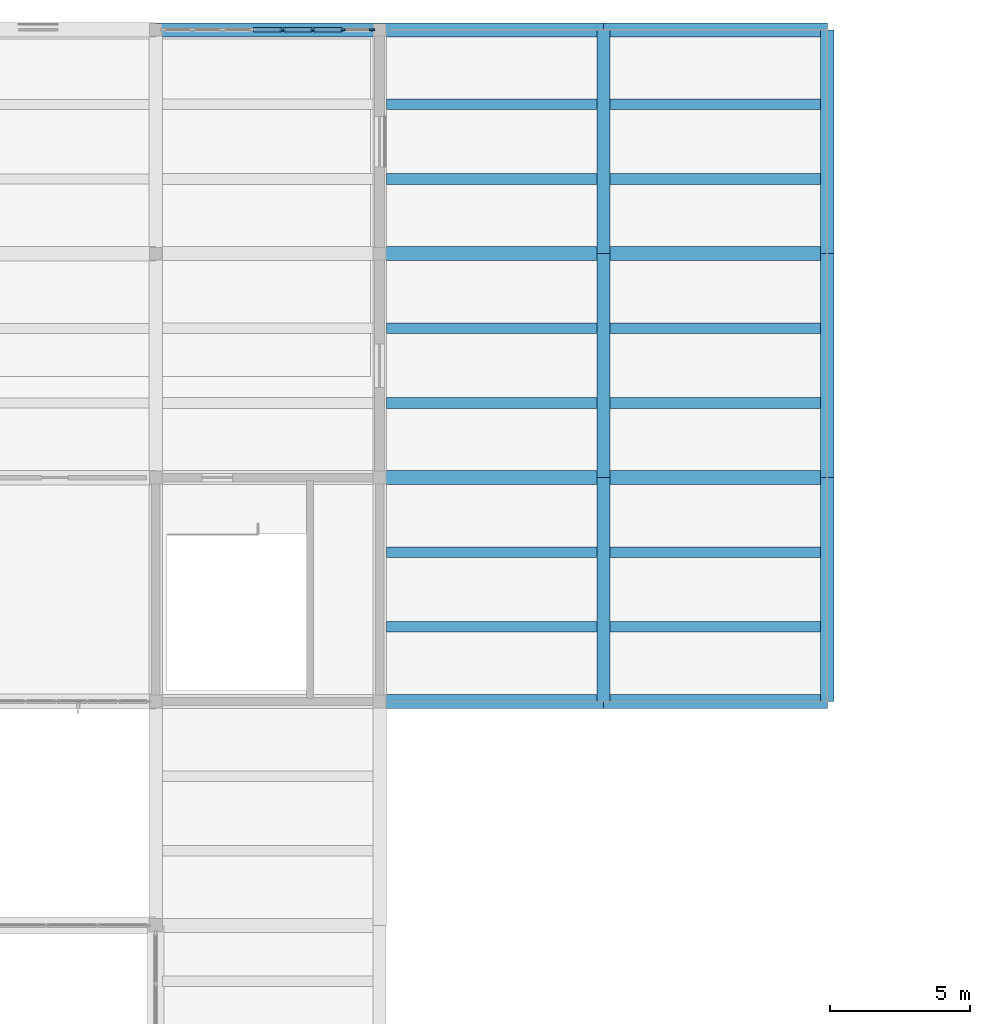
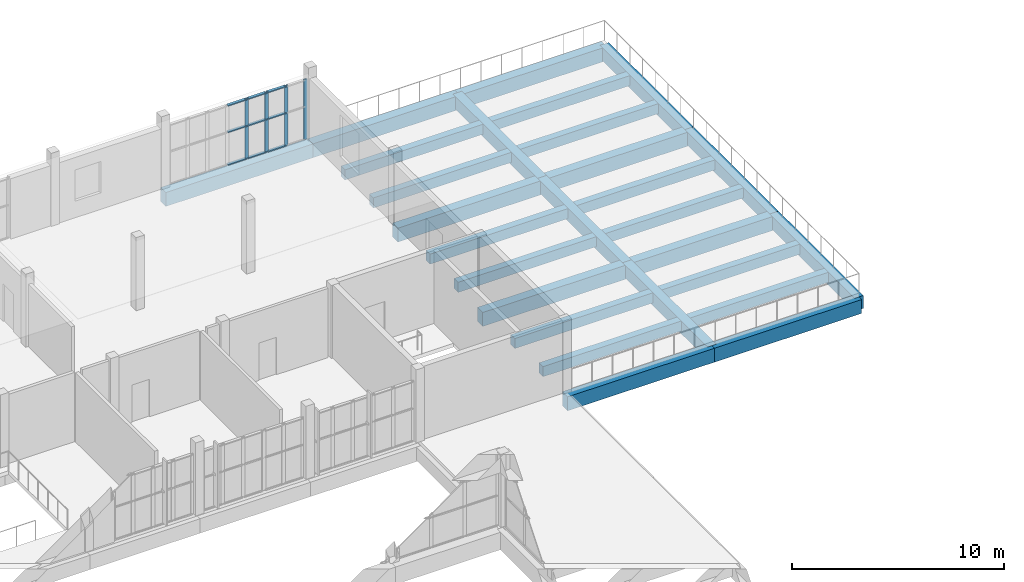
# One storey, part 30 of 70: 27 beams, 13 members, 1 element without a shape of its own.
"""IFC4 building model written with IfcOpenShell, lengths in metres."""

import ifcopenshell
import ifcopenshell.guid

model = None  # the IFC model being written
_history = None  # IfcOwnerHistory: only IFC2X3 demands one
_inside = {}  # id of a spatial element -> (the spatial element, [elements in it])
_under = {}  # id of a project, library or spatial element -> (it, [spatial elements below it])
_declared = {}  # id of a project -> (the project, [libraries it declares])
_typed = {}  # id of a type object -> (the type object, [elements of that type])
_made_of = {}  # id of a material, layer set ... -> (it, [elements and type objects made of it])


def new_model(schema):
    """Start an empty IFC model of exactly this schema.

    Asked for "IFC4X3", IfcOpenShell would pick the latest addendum, in which some entities
    have other attributes; the version numbers below select the first issue.
    IFC2X3 requires an IfcOwnerHistory on every rooted entity: one is made here for all.
    """
    global model, _history
    if schema == "IFC4X3":
        model = ifcopenshell.file(schema_version=(4, 3, 0, 0))
    else:
        model = ifcopenshell.file(schema=schema)
    _inside.clear()
    _under.clear()
    _declared.clear()
    _typed.clear()
    _made_of.clear()
    _history = None
    if model.schema == "IFC2X3":
        org = make("IfcOrganization", Name="unknown")
        user = make(
            "IfcPersonAndOrganization",
            ThePerson=make("IfcPerson", FamilyName="unknown"),
            TheOrganization=org,
        )
        app = make(
            "IfcApplication",
            ApplicationDeveloper=org,
            Version="unknown",
            ApplicationFullName="unknown",
            ApplicationIdentifier="unknown",
        )
        _history = make(
            "IfcOwnerHistory",
            OwningUser=user,
            OwningApplication=app,
            ChangeAction="ADDED",
            CreationDate=0,
        )
    return model


def make(cls, **values):
    """One entity of the class cls with the attributes given. An attribute that is None is left unset."""
    return model.create_entity(
        cls, **{name: value for name, value in values.items() if value is not None}
    )


def rooted(cls, **values):
    """An entity with a GlobalId (a new one), such as an element, a storey or a relation."""
    return make(cls, GlobalId=ifcopenshell.guid.new(), OwnerHistory=_history, **values)


def si_unit(unit_type, name, prefix=None):
    """IfcSIUnit, for example si_unit("LENGTHUNIT", "METRE", prefix="MILLI")."""
    return make("IfcSIUnit", UnitType=unit_type, Prefix=prefix, Name=name)


def assignment(units):
    """IfcUnitAssignment: the units of a project."""
    return None if units is None else make("IfcUnitAssignment", Units=units)


def point(xyz):
    """IfcCartesianPoint."""
    return None if xyz is None else make("IfcCartesianPoint", Coordinates=xyz)


def direction(xyz):
    """IfcDirection."""
    return None if xyz is None else make("IfcDirection", DirectionRatios=xyz)


def frame(location, z_axis=None, x_axis=None):
    """IfcAxis2Placement3D, a coordinate frame: its origin and axes. An axis left out is left unset."""
    return make(
        "IfcAxis2Placement3D",
        Location=point(location),
        Axis=direction(z_axis),
        RefDirection=direction(x_axis),
    )


def frame_2d(location, x_axis=None):
    """IfcAxis2Placement2D, a coordinate frame in the plane: its origin and x axis."""
    return make(
        "IfcAxis2Placement2D", Location=point(location), RefDirection=direction(x_axis)
    )


def origin():
    """The frame at (0, 0, 0) with its axes left unset."""
    return frame((0.0, 0.0, 0.0))


def origin_2d():
    """The frame at (0, 0) in the plane with its x axis left unset."""
    return frame_2d((0.0, 0.0))


def place(relative_to, where):
    """IfcLocalPlacement: puts the frame where relative to a parent placement (None: the world)."""
    return make(
        "IfcLocalPlacement", PlacementRelTo=relative_to, RelativePlacement=where
    )


def context(
    kind, dimensions, precision=None, world=None, true_north=None, identifier=None
):
    """IfcGeometricRepresentationContext, for example the 3D "Model" context."""
    return make(
        "IfcGeometricRepresentationContext",
        ContextIdentifier=identifier,
        ContextType=kind,
        CoordinateSpaceDimension=dimensions,
        Precision=precision,
        WorldCoordinateSystem=world,
        TrueNorth=true_north,
    )


def subcontext(parent, identifier, kind, view, scale=None):
    """IfcGeometricRepresentationSubContext, for example "Body" below "Model"."""
    return make(
        "IfcGeometricRepresentationSubContext",
        ContextIdentifier=identifier,
        ContextType=kind,
        ParentContext=parent,
        TargetScale=scale,
        TargetView=view,
    )


def project(units=None, contexts=None):
    """IfcProject with its units and contexts."""
    return rooted(
        "IfcProject",
        Name="project",
        RepresentationContexts=contexts,
        UnitsInContext=assignment(units),
    )


def spatial(cls, under=None, at=None, **own):
    """A site, building, storey or space (cls), placed at a placement, below another one or the project."""
    s = rooted(cls, ObjectPlacement=at, **own)
    if under is not None:
        _under.setdefault(under.id(), (under, []))[1].append(s)
    return s


def profile(cls, at=None, kind="AREA", **sizes):
    """A parametric profile (cls). Its sizes go by their IFC names, for example OverallWidth=200.0."""
    return make(cls, ProfileType=kind, Position=at, **sizes)


def rectangle(**sizes):
    """IfcRectangleProfileDef."""
    return profile("IfcRectangleProfileDef", **sizes)


def extrude(swept, where, along, depth):
    """IfcExtrudedAreaSolid: the profile swept, set in the frame where, extruded along a direction by depth."""
    return make(
        "IfcExtrudedAreaSolid",
        SweptArea=swept,
        Position=where,
        ExtrudedDirection=direction(along),
        Depth=depth,
    )


def shape(context_of_items, identifier, shape_type, items):
    """IfcShapeRepresentation: the items that make up one representation, for example the "Body"."""
    return make(
        "IfcShapeRepresentation",
        ContextOfItems=context_of_items,
        RepresentationIdentifier=identifier,
        RepresentationType=shape_type,
        Items=items,
    )


def material(Name=None, Category=None):
    """IfcMaterial."""
    return make("IfcMaterial", Name=Name, Category=Category)


def layer(
    of_material, thickness, ventilated=None, Name=None, Category=None, Priority=None
):
    """IfcMaterialLayer: one layer of a wall or slab, of a material (None: an air gap)."""
    return make(
        "IfcMaterialLayer",
        Material=of_material,
        LayerThickness=thickness,
        IsVentilated=ventilated,
        Name=Name,
        Category=Category,
        Priority=Priority,
    )


def layer_set(layers, Name=None):
    """IfcMaterialLayerSet."""
    return make("IfcMaterialLayerSet", MaterialLayers=layers, LayerSetName=Name)


def material_profile(
    of_material, cross_section, Name=None, Category=None, Priority=None
):
    """IfcMaterialProfile: a cross section and its material."""
    return make(
        "IfcMaterialProfile",
        Name=Name,
        Material=of_material,
        Profile=cross_section,
        Priority=Priority,
        Category=Category,
    )


def profile_set(profiles, Name=None, composite=None):
    """IfcMaterialProfileSet."""
    return make(
        "IfcMaterialProfileSet",
        Name=Name,
        MaterialProfiles=profiles,
        CompositeProfile=composite,
    )


def made_of(thing, what):
    """Note that an element or type object is made of a material, layer set ...; save() writes the relation."""
    if what is not None:
        _made_of.setdefault(what.id(), (what, []))[1].append(thing)
    return thing


def type_object(cls, material=None, **own):
    """A type object (cls), such as IfcWallType, which elements share."""
    return made_of(rooted(cls, **own), material)


def element(
    cls,
    number,
    at=None,
    inside=None,
    cuts=None,
    type_object=None,
    material=None,
    context=None,
    identifier="Body",
    shape_type=None,
    held_by="IfcProductDefinitionShape",
    body=None,
    shapes=None,
    **own,
):
    """One element of the class cls, such as IfcWall. Its Tag is "e" and its number.

    at: its placement. inside: the storey or other place that contains it. cuts: it is an
    opening in that element (IfcRelVoidsElement). A single representation is given by context,
    identifier, shape_type and body (its items); several are given by shapes. held_by: the class
    of the entity that holds the representations. save() writes the other relations.
    """
    e = rooted(cls, Tag="e%d" % number, ObjectPlacement=at, **own)
    if body is not None:
        shapes = [shape(context, identifier, shape_type, body)]
    if shapes is not None:
        e.Representation = make(held_by, Representations=shapes)
    if inside is not None:
        _inside.setdefault(inside.id(), (inside, []))[1].append(e)
    if cuts is not None:
        rooted(
            "IfcRelVoidsElement", RelatingBuildingElement=cuts, RelatedOpeningElement=e
        )
    if type_object is not None:
        _typed.setdefault(type_object.id(), (type_object, []))[1].append(e)
    return made_of(e, material)


def aggregate(whole, parts):
    """IfcRelAggregates: a whole, such as a stair, and the parts it consists of."""
    return rooted("IfcRelAggregates", RelatingObject=whole, RelatedObjects=parts)


def save(model, path):
    """Write the relations noted so far, then the file.

    IfcRelAggregates (storeys below a building ...), IfcRelContainedInSpatialStructure (elements
    in a storey), IfcRelDefinesByType, IfcRelAssociatesMaterial and IfcRelDeclares: one each for
    every whole, place, type object, material and project.
    """
    for whole, parts in _under.values():
        aggregate(whole, parts)
    for where, things in _inside.values():
        rooted(
            "IfcRelContainedInSpatialStructure",
            RelatedElements=things,
            RelatingStructure=where,
        )
    for kind, things in _typed.values():
        rooted("IfcRelDefinesByType", RelatedObjects=things, RelatingType=kind)
    for what, things in _made_of.values():
        rooted("IfcRelAssociatesMaterial", RelatedObjects=things, RelatingMaterial=what)
    for by, libraries in _declared.values():
        rooted("IfcRelDeclares", RelatingContext=by, RelatedDefinitions=libraries)
    model.write(path)


model = new_model("IFC4")

# Units and contexts
model_context = context("Model", 3, precision=1e-05, world=origin(), true_north=direction((0.0, 1.0)))
body_context = subcontext(model_context, "Body", "Model", "MODEL_VIEW")
ifc_project = project(units=[si_unit("LENGTHUNIT", "METRE"), si_unit("AREAUNIT", "SQUARE_METRE"), si_unit("VOLUMEUNIT", "CUBIC_METRE"), si_unit("PLANEANGLEUNIT", "RADIAN"), si_unit("MASSUNIT", "GRAM", prefix="KILO")], contexts=[model_context])

# Site, building, storey
site_placement = place(None, origin())
site = spatial("IfcSite", under=ifc_project, at=site_placement, CompositionType="ELEMENT")
building_placement = place(site_placement, origin())
building = spatial("IfcBuilding", under=site, at=building_placement, Name="Solvane Community Centre", CompositionType="ELEMENT")
storey_placement = place(building_placement, frame((0.0, 0.0, 9.60009765625)))
storey = spatial("IfcBuildingStorey", under=building, at=storey_placement, Name="L02", CompositionType="ELEMENT", Elevation=9.60009765625)

# Curtain wall, members
ifc_material_1 = material(Name="Anodised bronze aluminium AW-6063 T6", Category="aluminium")
ifc_layer = layer(ifc_material_1, 0.18994140625)
ifc_layer_set = layer_set([ifc_layer], Name="Anodised bronze aluminium AW-6063 T6")
curtain_wall_type = type_object("IfcCurtainWallType", Name="Boulevard Bronze Vision Curtain Wall [75x35dm]", PredefinedType="NOTDEFINED", material=ifc_layer_set)
curtain_wall_placement = place(storey_placement, origin())
curtain_wall = element("IfcCurtainWall", 1, at=curtain_wall_placement, inside=storey, type_object=curtain_wall_type, Name="Curtain Wall CW-L02-602_1100-209", PredefinedType="NOTDEFINED")
ifc_material_profile_1 = material_profile(ifc_material_1, rectangle(XDim=0.06005859375, YDim=0.18994140625, at=origin_2d()), Name="CW-M 60x190")
ifc_profile_set_1 = profile_set([ifc_material_profile_1], Name="Anodised bronze aluminium AW-6063 T6")
member_type_1 = type_object("IfcMemberType", Name="Boulevard Mullion 60x190", PredefinedType="MULLION", material=ifc_profile_set_1)
member_1_placement = place(storey_placement, frame((64.536376953125, 110.0, 0.0), z_axis=(0.0, 0.0, 1.0), x_axis=(0.0, 1.0, 0.0)))
member_1 = element("IfcMember", 2, at=member_1_placement, type_object=member_type_1, Name="CW02-75x35 mullion 5", PredefinedType="MULLION", context=body_context, shape_type="SweptSolid", body=[
    extrude(rectangle(XDim=0.06005859375, YDim=0.18994140625, at=origin_2d()), origin(), (0.0, 0.0, 1.0), 3.46484375),
])
member_2_placement = place(storey_placement, frame((65.609375, 110.0, 0.0), z_axis=(0.0, 0.0, 1.0), x_axis=(0.0, 1.0, 0.0)))
member_2 = element("IfcMember", 3, at=member_2_placement, type_object=member_type_1, Name="CW02-75x35 mullion 6", PredefinedType="MULLION", context=body_context, shape_type="SweptSolid", body=[
    extrude(rectangle(XDim=0.06005859375, YDim=0.18994140625, at=origin_2d()), origin(), (0.0, 0.0, 1.0), 3.46484375),
])
member_3_placement = place(storey_placement, frame((66.68212890625, 110.0, 0.0), z_axis=(0.0, 0.0, 1.0), x_axis=(0.0, 1.0, 0.0)))
member_3 = element("IfcMember", 4, at=member_3_placement, type_object=member_type_1, Name="CW02-75x35 mullion 7", PredefinedType="MULLION", context=body_context, shape_type="SweptSolid", body=[
    extrude(rectangle(XDim=0.06005859375, YDim=0.18994140625, at=origin_2d()), origin(), (0.0, 0.0, 1.0), 3.46484375),
])
member_4_placement = place(storey_placement, frame((67.72509765625, 110.0, 0.0), z_axis=(0.0, 0.0, 1.0), x_axis=(0.0, 1.0, 0.0)))
member_4 = element("IfcMember", 5, at=member_4_placement, type_object=member_type_1, Name="CW02-75x35 mullion 8", PredefinedType="MULLION", context=body_context, shape_type="SweptSolid", body=[
    extrude(rectangle(XDim=0.06005859375, YDim=0.18994140625, at=origin_2d()), origin(), (0.0, 0.0, 1.0), 3.46484375),
])
ifc_material_profile_2 = material_profile(ifc_material_1, rectangle(XDim=0.14990234375, YDim=0.06005859375, at=origin_2d()), Name="CW-T 60x150")
ifc_profile_set_2 = profile_set([ifc_material_profile_2], Name="Anodised bronze aluminium AW-6063 T6")
member_type_2 = type_object("IfcMemberType", Name="Boulevard Transom 60x150", PredefinedType="USERDEFINED", material=ifc_profile_set_2)
member_5_placement = place(storey_placement, frame((63.49365234375, 110.0, 0.02978515625), z_axis=(1.0, 0.0, 0.0), x_axis=(0.0, 1.0, 0.0)))
member_5 = element("IfcMember", 6, at=member_5_placement, type_object=member_type_2, Name="CW02-75x35 transom 4.1", ObjectType="TRANSOM", PredefinedType="USERDEFINED", context=body_context, shape_type="SweptSolid", body=[
    extrude(rectangle(XDim=0.14990234375, YDim=0.06005859375, at=origin_2d()), origin(), (0.0, 0.0, 1.0), 1.0126953125),
])
member_6_placement = place(storey_placement, frame((63.49365234375, 110.0, 1.906005859375), z_axis=(1.0, 0.0, 0.0), x_axis=(0.0, 1.0, 0.0)))
member_6 = element("IfcMember", 7, at=member_6_placement, type_object=member_type_2, Name="CW02-75x35 transom 4.2", ObjectType="TRANSOM", PredefinedType="USERDEFINED", context=body_context, shape_type="SweptSolid", body=[
    extrude(rectangle(XDim=0.14990234375, YDim=0.06005859375, at=origin_2d()), origin(), (0.0, 0.0, 1.0), 1.0126953125),
])
member_7_placement = place(storey_placement, frame((63.49365234375, 110.0, 3.434814453125), z_axis=(1.0, 0.0, 0.0), x_axis=(0.0, 1.0, 0.0)))
member_7 = element("IfcMember", 8, at=member_7_placement, type_object=member_type_2, Name="CW02-75x35 transom 4.3", ObjectType="TRANSOM", PredefinedType="USERDEFINED", context=body_context, shape_type="SweptSolid", body=[
    extrude(rectangle(XDim=0.14990234375, YDim=0.06005859375, at=origin_2d()), origin(), (0.0, 0.0, 1.0), 1.0126953125),
])
member_8_placement = place(storey_placement, frame((64.56640625, 110.0, 0.02978515625), z_axis=(1.0, 0.0, 0.0), x_axis=(0.0, 1.0, 0.0)))
member_8 = element("IfcMember", 9, at=member_8_placement, type_object=member_type_2, Name="CW02-75x35 transom 5.1", ObjectType="TRANSOM", PredefinedType="USERDEFINED", context=body_context, shape_type="SweptSolid", body=[
    extrude(rectangle(XDim=0.14990234375, YDim=0.06005859375, at=origin_2d()), origin(), (0.0, 0.0, 1.0), 1.012939453125),
])
member_9_placement = place(storey_placement, frame((64.56640625, 110.0, 1.906005859375), z_axis=(1.0, 0.0, 0.0), x_axis=(0.0, 1.0, 0.0)))
member_9 = element("IfcMember", 10, at=member_9_placement, type_object=member_type_2, Name="CW02-75x35 transom 5.2", ObjectType="TRANSOM", PredefinedType="USERDEFINED", context=body_context, shape_type="SweptSolid", body=[
    extrude(rectangle(XDim=0.14990234375, YDim=0.06005859375, at=origin_2d()), origin(), (0.0, 0.0, 1.0), 1.012939453125),
])
member_10_placement = place(storey_placement, frame((64.56640625, 110.0, 3.434814453125), z_axis=(1.0, 0.0, 0.0), x_axis=(0.0, 1.0, 0.0)))
member_10 = element("IfcMember", 11, at=member_10_placement, type_object=member_type_2, Name="CW02-75x35 transom 5.3", ObjectType="TRANSOM", PredefinedType="USERDEFINED", context=body_context, shape_type="SweptSolid", body=[
    extrude(rectangle(XDim=0.14990234375, YDim=0.06005859375, at=origin_2d()), origin(), (0.0, 0.0, 1.0), 1.012939453125),
])
member_11_placement = place(storey_placement, frame((65.639404296875, 110.0, 0.02978515625), z_axis=(1.0, 0.0, 0.0), x_axis=(0.0, 1.0, 0.0)))
member_11 = element("IfcMember", 12, at=member_11_placement, type_object=member_type_2, Name="CW02-75x35 transom 6.1", ObjectType="TRANSOM", PredefinedType="USERDEFINED", context=body_context, shape_type="SweptSolid", body=[
    extrude(rectangle(XDim=0.14990234375, YDim=0.06005859375, at=origin_2d()), origin(), (0.0, 0.0, 1.0), 1.0126953125),
])
member_12_placement = place(storey_placement, frame((65.639404296875, 110.0, 1.906005859375), z_axis=(1.0, 0.0, 0.0), x_axis=(0.0, 1.0, 0.0)))
member_12 = element("IfcMember", 13, at=member_12_placement, type_object=member_type_2, Name="CW02-75x35 transom 6.2", ObjectType="TRANSOM", PredefinedType="USERDEFINED", context=body_context, shape_type="SweptSolid", body=[
    extrude(rectangle(XDim=0.14990234375, YDim=0.06005859375, at=origin_2d()), origin(), (0.0, 0.0, 1.0), 1.0126953125),
])
member_13_placement = place(storey_placement, frame((65.639404296875, 110.0, 3.434814453125), z_axis=(1.0, 0.0, 0.0), x_axis=(0.0, 1.0, 0.0)))
member_13 = element("IfcMember", 14, at=member_13_placement, type_object=member_type_2, Name="CW02-75x35 transom 6.3", ObjectType="TRANSOM", PredefinedType="USERDEFINED", context=body_context, shape_type="SweptSolid", body=[
    extrude(rectangle(XDim=0.14990234375, YDim=0.06005859375, at=origin_2d()), origin(), (0.0, 0.0, 1.0), 1.0126953125),
])
aggregate(curtain_wall, [member_1, member_2, member_3, member_4, member_5, member_6, member_7, member_8, member_9, member_10, member_11, member_12, member_13])

# Beams
ifc_material_2 = material(Name="Concrete C35/45", Category="concrete")
ifc_material_profile_3 = material_profile(ifc_material_2, rectangle(XDim=0.47998046875, YDim=0.739990234375, at=origin_2d()), Name="RC 480x740")
ifc_profile_set_3 = profile_set([ifc_material_profile_3], Name="Concrete C35/45")
beam_type_1 = type_object("IfcBeamType", Name="RC Bay Beam 480x740", PredefinedType="BEAM", material=ifc_profile_set_3)
for number, where, z_axis, x_axis, name in (
    (15, (76.0, 86.0, -0.590087890625), (0.0, 1.0, 0.0), (-1.0, 0.0, 0.0), "Beam BM-L02-760_860-760_940"),
    (16, (76.0, 94.0, -0.590087890625), (0.0, 1.0, 0.0), (-1.0, 0.0, 0.0), "Beam BM-L02-760_940-760_1020"),
    (17, (76.0, 102.0, -0.590087890625), (0.0, 1.0, 0.0), (-1.0, 0.0, 0.0), "Beam BM-L02-760_1020-760_1100"),
    (18, (84.0, 86.0, -0.590087890625), (0.0, 1.0, 0.0), (-1.0, 0.0, 0.0), "Beam BM-L02-840_860-840_940"),
    (19, (84.0, 94.0, -0.590087890625), (0.0, 1.0, 0.0), (-1.0, 0.0, 0.0), "Beam BM-L02-840_940-840_1020"),
    (20, (84.0, 102.0, -0.590087890625), (0.0, 1.0, 0.0), (-1.0, 0.0, 0.0), "Beam BM-L02-840_1020-840_1100"),
):
    element("IfcBeam", number, at=place(storey_placement, frame(where, z_axis=z_axis, x_axis=x_axis)), inside=storey, type_object=beam_type_1, Name=name, PredefinedType="BEAM", context=body_context, shape_type="SweptSolid", body=[
        extrude(rectangle(XDim=0.47998046875, YDim=0.739990234375, at=origin_2d()), origin(), (0.0, 0.0, 1.0), 8.0),
    ])
ifc_material_profile_4 = material_profile(ifc_material_2, rectangle(XDim=0.5, YDim=0.800048828125, at=origin_2d()), Name="RC 500x800")
ifc_profile_set_4 = profile_set([ifc_material_profile_4], Name="Concrete C35/45")
beam_type_2 = type_object("IfcBeamType", Name="RC Primary Girder 500x800", PredefinedType="USERDEFINED", material=ifc_profile_set_4)
for number, where, z_axis, x_axis, name in (
    (21, (68.0, 86.0, -0.6201171875), (1.0, 0.0, 0.0), (0.0, 1.0, 0.0), "Beam BM-L02-680_860-760_860"),
    (22, (76.0, 86.0, -0.6201171875), (1.0, 0.0, 0.0), (0.0, 1.0, 0.0), "Beam BM-L02-760_860-840_860"),
    (23, (68.0, 94.0, -0.6201171875), (1.0, 0.0, 0.0), (0.0, 1.0, 0.0), "Beam BM-L02-680_940-760_940"),
    (24, (76.0, 94.0, -0.6201171875), (1.0, 0.0, 0.0), (0.0, 1.0, 0.0), "Beam BM-L02-760_940-840_940"),
    (25, (68.0, 102.0, -0.6201171875), (1.0, 0.0, 0.0), (0.0, 1.0, 0.0), "Beam BM-L02-680_1020-760_1020"),
    (26, (76.0, 102.0, -0.6201171875), (1.0, 0.0, 0.0), (0.0, 1.0, 0.0), "Beam BM-L02-760_1020-840_1020"),
    (27, (60.0, 110.0, -0.6201171875), (1.0, 0.0, 0.0), (0.0, 1.0, 0.0), "Beam BM-L02-600_1100-680_1100"),
    (28, (68.0, 110.0, -0.6201171875), (1.0, 0.0, 0.0), (0.0, 1.0, 0.0), "Beam BM-L02-680_1100-760_1100"),
    (29, (76.0, 110.0, -0.6201171875), (1.0, 0.0, 0.0), (0.0, 1.0, 0.0), "Beam BM-L02-760_1100-840_1100"),
):
    element("IfcBeam", number, at=place(storey_placement, frame(where, z_axis=z_axis, x_axis=x_axis)), inside=storey, type_object=beam_type_2, Name=name, ObjectType="GIRDER", PredefinedType="USERDEFINED", context=body_context, shape_type="SweptSolid", body=[
        extrude(rectangle(XDim=0.5, YDim=0.800048828125, at=origin_2d()), origin(), (0.0, 0.0, 1.0), 8.0),
    ])
ifc_material_profile_5 = material_profile(ifc_material_2, rectangle(XDim=0.3798828125, YDim=0.580078125, at=origin_2d()), Name="RC 380x580")
ifc_profile_set_5 = profile_set([ifc_material_profile_5], Name="Concrete C35/45")
beam_type_3 = type_object("IfcBeamType", Name="RC Short Joist 380x580", PredefinedType="JOIST", material=ifc_profile_set_5)
for number, where, z_axis, x_axis, name in (
    (30, (68.239990234375, 88.666748046875, -0.510009765625), (1.0, 0.0, 0.0), (0.0, 1.0, 0.0), "Beam BM-L02-682_887-758_887"),
    (31, (68.239990234375, 91.333251953125, -0.510009765625), (1.0, 0.0, 0.0), (0.0, 1.0, 0.0), "Beam BM-L02-682_913-758_913"),
    (32, (68.239990234375, 96.666748046875, -0.510009765625), (1.0, 0.0, 0.0), (0.0, 1.0, 0.0), "Beam BM-L02-682_967-758_967"),
    (33, (68.239990234375, 99.333251953125, -0.510009765625), (1.0, 0.0, 0.0), (0.0, 1.0, 0.0), "Beam BM-L02-682_993-758_993"),
    (34, (68.239990234375, 104.666748046875, -0.510009765625), (1.0, 0.0, 0.0), (0.0, 1.0, 0.0), "Beam BM-L02-682_1047-758_1047"),
    (35, (68.239990234375, 107.333251953125, -0.510009765625), (1.0, 0.0, 0.0), (0.0, 1.0, 0.0), "Beam BM-L02-682_1073-758_1073"),
    (36, (76.239990234375, 88.666748046875, -0.510009765625), (1.0, 0.0, 0.0), (0.0, 1.0, 0.0), "Beam BM-L02-762_887-838_887"),
    (37, (76.239990234375, 91.333251953125, -0.510009765625), (1.0, 0.0, 0.0), (0.0, 1.0, 0.0), "Beam BM-L02-762_913-838_913"),
    (38, (76.239990234375, 96.666748046875, -0.510009765625), (1.0, 0.0, 0.0), (0.0, 1.0, 0.0), "Beam BM-L02-762_967-838_967"),
    (39, (76.239990234375, 99.333251953125, -0.510009765625), (1.0, 0.0, 0.0), (0.0, 1.0, 0.0), "Beam BM-L02-762_993-838_993"),
    (40, (76.239990234375, 104.666748046875, -0.510009765625), (1.0, 0.0, 0.0), (0.0, 1.0, 0.0), "Beam BM-L02-762_1047-838_1047"),
    (41, (76.239990234375, 107.333251953125, -0.510009765625), (1.0, 0.0, 0.0), (0.0, 1.0, 0.0), "Beam BM-L02-762_1073-838_1073"),
):
    element("IfcBeam", number, at=place(storey_placement, frame(where, z_axis=z_axis, x_axis=x_axis)), inside=storey, type_object=beam_type_3, Name=name, PredefinedType="JOIST", context=body_context, shape_type="SweptSolid", body=[
        extrude(rectangle(XDim=0.3798828125, YDim=0.580078125, at=origin_2d()), origin(), (0.0, 0.0, 1.0), 7.52001953125),
    ])

save(model, "model.ifc")
